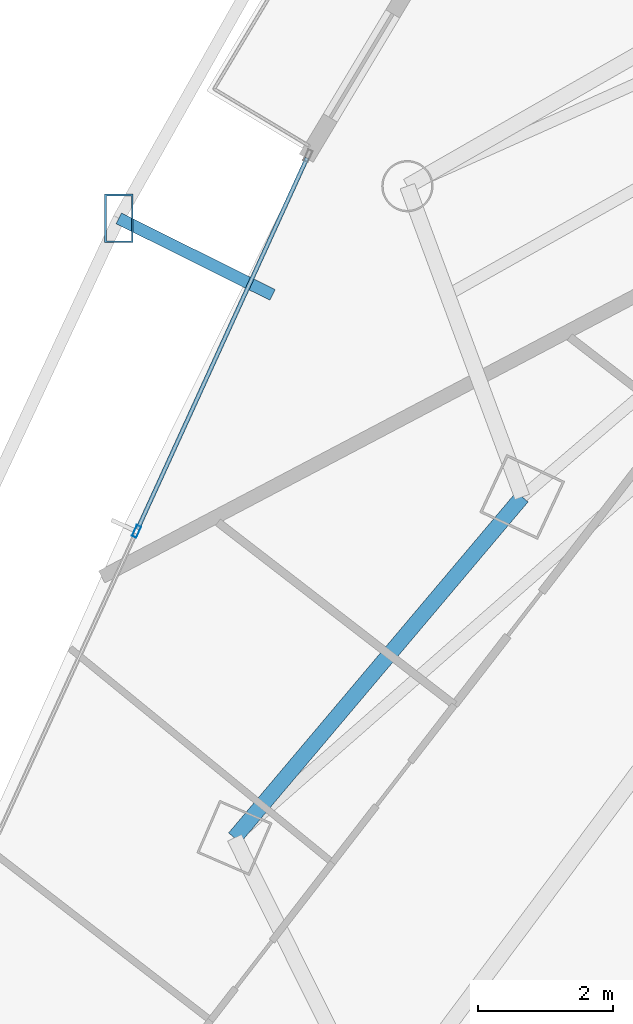
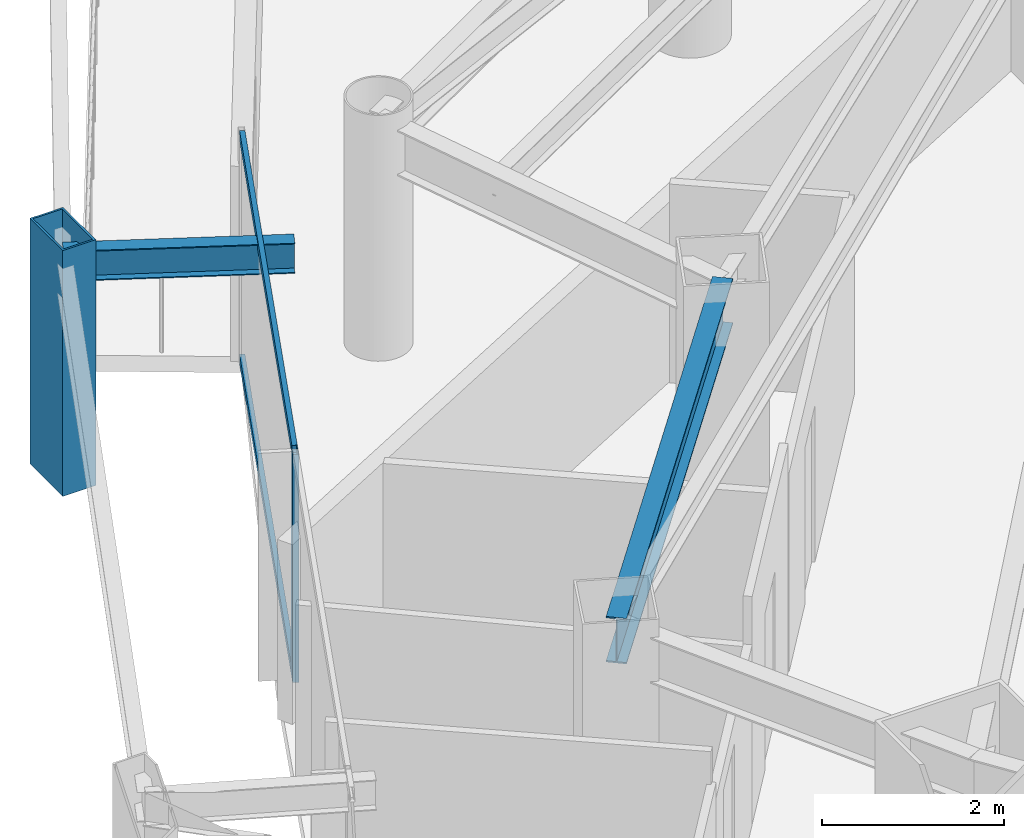
# One storey, part 8 of 34: 4 members, 2 beams, 1 element without a shape of its own.
"""IFC4 building model written with IfcOpenShell, lengths in metres."""

from ifc_helpers import new_model, si_unit, direction, frame, origin, origin_2d, place, context, subcontext, project, spatial, hollow_rectangle, i_section, extrude, material, layer, layer_set, material_profile, profile_set, type_object, element, aggregate, save


model = new_model("IFC4")

# Units and contexts
model_context = context("Model", 3, precision=1e-05, world=origin(), true_north=direction((0.0, 1.0)))
body_context = subcontext(model_context, "Body", "Model", "MODEL_VIEW")
ifc_project = project(units=[si_unit("LENGTHUNIT", "METRE"), si_unit("AREAUNIT", "SQUARE_METRE"), si_unit("VOLUMEUNIT", "CUBIC_METRE"), si_unit("PLANEANGLEUNIT", "RADIAN"), si_unit("MASSUNIT", "GRAM", prefix="KILO")], contexts=[model_context])

# Site, building, storey
site_placement = place(None, origin())
site = spatial("IfcSite", under=ifc_project, at=site_placement, CompositionType="ELEMENT")
building_placement = place(site_placement, origin())
building = spatial("IfcBuilding", under=site, at=building_placement, Name="Orvanel Arch Residences", CompositionType="ELEMENT")
storey_placement = place(building_placement, frame((0.0, 0.0, 74.14990234375)))
storey = spatial("IfcBuildingStorey", under=building, at=storey_placement, Name="L20", CompositionType="ELEMENT", Elevation=74.14990234375)

# Member
ifc_material_1 = material(Name="Structural steel AS/NZS 3678 Grade 350", Category="steel")
ifc_material_profile_1 = material_profile(ifc_material_1, hollow_rectangle(XDim=0.419921875, YDim=0.719970703125, WallThickness=0.02490234375, at=origin_2d()), Name="RHS720x420x25")
ifc_profile_set_1 = profile_set([ifc_material_profile_1], Name="Structural steel AS/NZS 3678 Grade 350")
member_type_1 = type_object("IfcMemberType", Name="CH-720RHS-EXT", PredefinedType="CHORD", material=ifc_profile_set_1)
member_1_placement = place(storey_placement, frame((10.3779296875, 23.777099609375, 0.0), z_axis=(0.0, 0.0, 1.0), x_axis=(1.0, 0.0, 0.0)))
element("IfcMember", 1, at=member_1_placement, inside=storey, type_object=member_type_1, Name="L20 Outer Perimeter Frame Post 03", PredefinedType="CHORD", context=body_context, shape_type="SweptSolid", body=[
    extrude(hollow_rectangle(XDim=0.419921875, YDim=0.719970703125, WallThickness=0.02490234375, at=origin_2d()), origin(), (0.0, 0.0, 1.0), 3.300048828125),
])

# Curtain wall, member
ifc_material_2 = material(Name="Bronze-anodised aluminium AA6063-T6", Category="aluminium")
ifc_layer = layer(ifc_material_2, 0.179931640625)
ifc_layer_set = layer_set([ifc_layer], Name="Bronze-anodised aluminium AA6063-T6")
curtain_wall_type = type_object("IfcCurtainWallType", Name="CW2-LOW-SYS", PredefinedType="NOTDEFINED", material=ifc_layer_set)
curtain_wall_placement = place(storey_placement, origin())
curtain_wall = element("IfcCurtainWall", 2, at=curtain_wall_placement, inside=storey, type_object=curtain_wall_type, Name="L20 CW2-LOW-SYS Unitised Curtain Wall", PredefinedType="NOTDEFINED")
ifc_material_profile_2 = material_profile(ifc_material_2, hollow_rectangle(XDim=0.070068359375, YDim=0.179931640625, WallThickness=0.00439453125, at=origin_2d()), Name="ALU180x70x4.5")
ifc_profile_set_2 = profile_set([ifc_material_profile_2], Name="Bronze-anodised aluminium AA6063-T6")
member_type_2 = type_object("IfcMemberType", Name="MUL-180x70", PredefinedType="MULLION", material=ifc_profile_set_2)
member_2_placement = place(storey_placement, frame((10.640625, 19.1298828125, 0.0), z_axis=(0.0, 0.0, 1.0), x_axis=(0.909616944848, -0.415447967434, 0.0)))
member_2 = element("IfcMember", 3, at=member_2_placement, type_object=member_type_2, Name="CW-S2 mullion 2", PredefinedType="MULLION", context=body_context, shape_type="SweptSolid", body=[
    extrude(hollow_rectangle(XDim=0.070068359375, YDim=0.179931640625, WallThickness=0.00439453125, at=origin_2d()), origin(), (0.0, 0.0, 1.0), 3.06005859375),
])

# Beams
ifc_material_3 = material(Name="Structural steel AS/NZS 3679.1 Grade 300 (300 MPa)", Category="steel")
ifc_material_profile_3 = material_profile(ifc_material_3, i_section(OverallWidth=0.177978515625, OverallDepth=0.406005859375, WebThickness=0.0078125, FlangeThickness=0.0126953125, at=origin_2d()), Name="410UB59.7")
ifc_profile_set_3 = profile_set([ifc_material_profile_3], Name="Structural steel AS/NZS 3679.1 Grade 300 (300 MPa)")
beam_type_1 = type_object("IfcBeamType", Name="OB-410UB-EXT", PredefinedType="SPANDREL", material=ifc_profile_set_3)
beam_1_placement = place(storey_placement, frame((12.660888671875, 22.64111328125, 2.857177734375), z_axis=(-0.895287212357, 0.445489402107, 0.0), x_axis=(-0.445489402107, -0.895287212357, 0.0)))
element("IfcBeam", 4, at=beam_1_placement, inside=storey, type_object=beam_type_1, Name="L20 Outer Frame Radial Tie Beam 03", PredefinedType="SPANDREL", context=body_context, shape_type="SweptSolid", body=[
    extrude(i_section(OverallWidth=0.177978515625, OverallDepth=0.406005859375, WebThickness=0.0078125, FlangeThickness=0.0126953125, at=origin_2d()), origin(), (0.0, 0.0, 1.0), 2.550048828125),
])
ifc_material_profile_4 = material_profile(ifc_material_3, i_section(OverallWidth=0.22900390625, OverallDepth=0.612060546875, WebThickness=0.011962890625, FlangeThickness=0.01953125, at=origin_2d()), Name="610UB125")
ifc_profile_set_4 = profile_set([ifc_material_profile_4], Name="Structural steel AS/NZS 3679.1 Grade 300 (300 MPa)")
beam_type_2 = type_object("IfcBeamType", Name="SP-610UB", PredefinedType="SPANDREL", material=ifc_profile_set_4)
beam_2_placement = place(storey_placement, frame((16.366943359375, 19.64208984375, 2.754150390625), z_axis=(-0.644950329775, -0.764224490659, 0.0), x_axis=(0.764224490659, -0.644950329775, 0.0)))
element("IfcBeam", 5, at=beam_2_placement, inside=storey, type_object=beam_type_2, Name="L20 Perimeter Spandrel Beam 01", PredefinedType="SPANDREL", context=body_context, shape_type="SweptSolid", body=[
    extrude(i_section(OverallWidth=0.22900390625, OverallDepth=0.612060546875, WebThickness=0.011962890625, FlangeThickness=0.01953125, at=origin_2d()), origin(), (0.0, 0.0, 1.0), 6.623779296875),
])

# Member
ifc_material_profile_5 = material_profile(ifc_material_2, hollow_rectangle(XDim=0.06005859375, YDim=0.135009765625, WallThickness=0.00390625, at=origin_2d()), Name="ALU135x60x4")
ifc_profile_set_5 = profile_set([ifc_material_profile_5], Name="Bronze-anodised aluminium AA6063-T6")
member_type_3 = type_object("IfcMemberType", Name="TRN-135x60", PredefinedType="USERDEFINED", material=ifc_profile_set_5)
member_3_placement = place(storey_placement, frame((13.1728515625, 24.67431640625, 0.030029296875), z_axis=(-0.415432220191, -0.909624136898, 0.0), x_axis=(0.909624136898, -0.415432220191, 0.0)))
member_3 = element("IfcMember", 6, at=member_3_placement, type_object=member_type_3, Name="CW-S2 transom 1.1", ObjectType="TRANSOM", PredefinedType="USERDEFINED", context=body_context, shape_type="SweptSolid", body=[
    extrude(hollow_rectangle(XDim=0.06005859375, YDim=0.135009765625, WallThickness=0.00390625, at=origin_2d()), origin(), (0.0, 0.0, 1.0), 6.06005859375),
])

member_4_placement = place(storey_placement, frame((13.1728515625, 24.67431640625, 3.030029296875), z_axis=(-0.415432220191, -0.909624136898, 0.0), x_axis=(0.909624136898, -0.415432220191, 0.0)))
member_4 = element("IfcMember", 7, at=member_4_placement, type_object=member_type_3, Name="CW-S2 transom 1.2", ObjectType="TRANSOM", PredefinedType="USERDEFINED", context=body_context, shape_type="SweptSolid", body=[
    extrude(hollow_rectangle(XDim=0.06005859375, YDim=0.135009765625, WallThickness=0.00390625, at=origin_2d()), origin(), (0.0, 0.0, 1.0), 6.06005859375),
])

aggregate(curtain_wall, [member_2, member_3, member_4])

save(model, "model.ifc")
